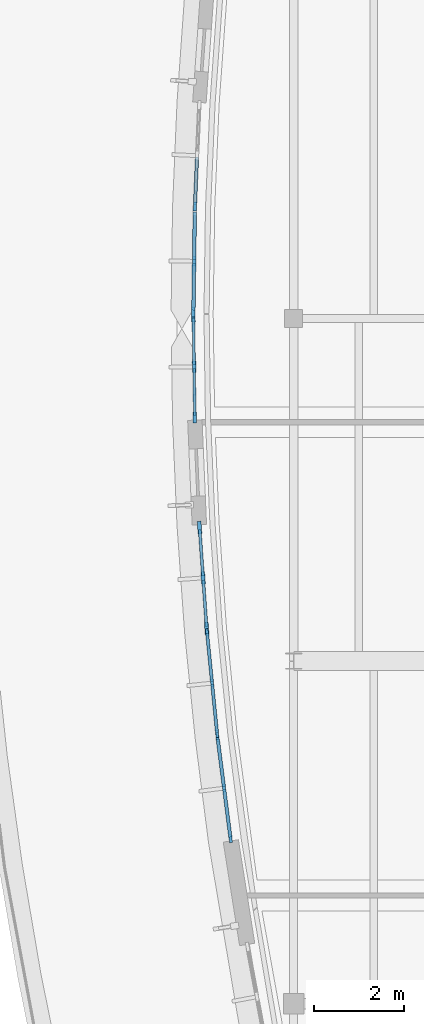
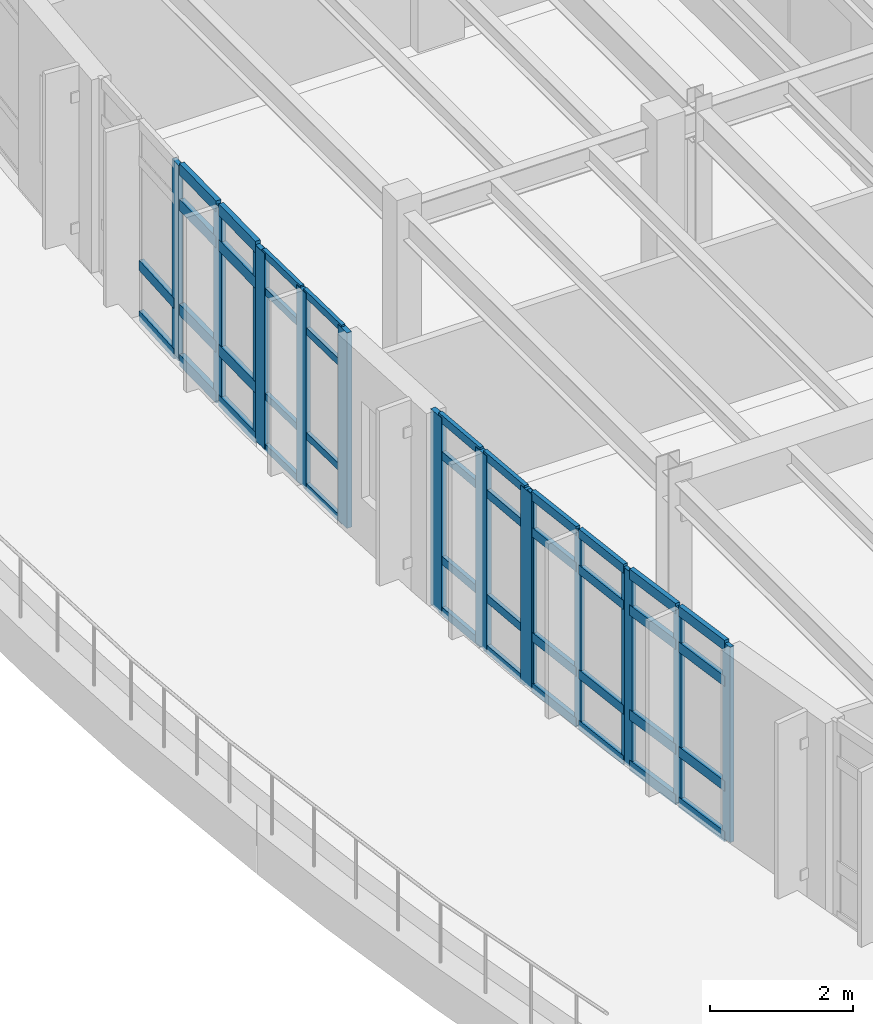
# One storey, part 6 of 30: 57 members, 6 elements without a shape of their own.
"""IFC4 building model written with IfcOpenShell, lengths in metres."""

from ifc_helpers import new_model, si_unit, direction, frame, origin, origin_2d, place, context, subcontext, project, spatial, rectangle, extrude, material, material_profile, profile_set, type_object, element, aggregate, save


model = new_model("IFC4")

# Units and contexts
model_context = context("Model", 3, precision=1e-05, world=origin(), true_north=direction((0.0, 1.0)))
body_context = subcontext(model_context, "Body", "Model", "MODEL_VIEW")
ifc_project = project(units=[si_unit("LENGTHUNIT", "METRE"), si_unit("AREAUNIT", "SQUARE_METRE"), si_unit("VOLUMEUNIT", "CUBIC_METRE"), si_unit("PLANEANGLEUNIT", "RADIAN"), si_unit("MASSUNIT", "GRAM", prefix="KILO")], contexts=[model_context])

# Site, building, storey
site_placement = place(None, origin())
site = spatial("IfcSite", under=ifc_project, at=site_placement, CompositionType="ELEMENT")
building_placement = place(site_placement, origin())
building = spatial("IfcBuilding", under=site, at=building_placement, Name="Corveleigh Park Community Centre", CompositionType="ELEMENT")
storey_placement = place(building_placement, frame((0.0, 0.0, 12.60009765625)))
storey = spatial("IfcBuildingStorey", under=building, at=storey_placement, Name="L03", CompositionType="ELEMENT", Elevation=12.60009765625)

# Curtain wall, members
ifc_material = material(Name="Anodised aluminium 6063-T6", Category="aluminium")
curtain_wall_type = type_object("IfcCurtainWallType", Name="CW-SYS-V4-L03", PredefinedType="NOTDEFINED", material=ifc_material)
curtain_wall_1_placement = place(storey_placement, origin())
curtain_wall_1 = element("IfcCurtainWall", 1, at=curtain_wall_1_placement, inside=storey, type_object=curtain_wall_type, Name="V4 L03 Curtain Wall 433", PredefinedType="NOTDEFINED")
ifc_material_profile_1 = material_profile(ifc_material, rectangle(XDim=0.06005859375, YDim=0.159912109375, at=origin_2d()), Name="ALU-M60x160", Category="aluminium")
ifc_profile_set_1 = profile_set([ifc_material_profile_1], Name="Anodised aluminium 6063-T6")
member_type_1 = type_object("IfcMemberType", Name="CWM-60x160", PredefinedType="MULLION", material=ifc_profile_set_1)
member_1_placement = place(storey_placement, frame((142.5029296875, 72.182861328125, 0.0), z_axis=(0.0, 0.0, 1.0), x_axis=(-0.995058446213, -0.09929092919, 0.0)))
member_1 = element("IfcMember", 2, at=member_1_placement, type_object=member_type_1, Name="CW09 mullion 1", PredefinedType="MULLION", context=body_context, shape_type="SweptSolid", body=[
    extrude(rectangle(XDim=0.06005859375, YDim=0.159912109375, at=origin_2d()), origin(), (0.0, 0.0, 1.0), 3.3369140625),
])
member_2_placement = place(storey_placement, frame((142.390380859375, 73.310546875, 0.0), z_axis=(0.0, 0.0, 1.0), x_axis=(-0.995058446213, -0.09929092919, 0.0)))
member_2 = element("IfcMember", 3, at=member_2_placement, type_object=member_type_1, Name="CW09 mullion 2", PredefinedType="MULLION", context=body_context, shape_type="SweptSolid", body=[
    extrude(rectangle(XDim=0.06005859375, YDim=0.159912109375, at=origin_2d()), origin(), (0.0, 0.0, 1.0), 3.3369140625),
])
member_3_placement = place(storey_placement, frame((142.278076171875, 74.438232421875, 0.0), z_axis=(0.0, 0.0, 1.0), x_axis=(-0.995058446213, -0.09929092919, 0.0)))
member_3 = element("IfcMember", 4, at=member_3_placement, type_object=member_type_1, Name="CW09 mullion 3", PredefinedType="MULLION", context=body_context, shape_type="SweptSolid", body=[
    extrude(rectangle(XDim=0.06005859375, YDim=0.159912109375, at=origin_2d()), origin(), (0.0, 0.0, 1.0), 3.3369140625),
])

curtain_wall_2_placement = place(storey_placement, origin())
curtain_wall_2 = element("IfcCurtainWall", 5, at=curtain_wall_2_placement, inside=storey, type_object=curtain_wall_type, Name="V4 L03 Curtain Wall 434", PredefinedType="NOTDEFINED")
ifc_material_profile_2 = material_profile(ifc_material, rectangle(XDim=0.06494140625, YDim=0.179931640625, at=origin_2d()), Name="ALU-M65x180", Category="aluminium")
ifc_profile_set_2 = profile_set([ifc_material_profile_2], Name="Anodised aluminium 6063-T6")
member_type_2 = type_object("IfcMemberType", Name="CWM-65x180", PredefinedType="MULLION", material=ifc_profile_set_2)
member_4_placement = place(storey_placement, frame((142.7998046875, 69.8603515625, 0.0), z_axis=(0.0, 0.0, 1.0), x_axis=(-0.991869145489, -0.127261927639, 0.0)))
member_4 = element("IfcMember", 6, at=member_4_placement, type_object=member_type_2, Name="CW09 mullion 1", PredefinedType="MULLION", context=body_context, shape_type="SweptSolid", body=[
    extrude(rectangle(XDim=0.06494140625, YDim=0.179931640625, at=origin_2d()), origin(), (0.0, 0.0, 1.0), 3.3369140625),
])
member_5_placement = place(storey_placement, frame((142.656005859375, 70.9814453125, 0.0), z_axis=(0.0, 0.0, 1.0), x_axis=(-0.991869145489, -0.127261927639, 0.0)))
member_5 = element("IfcMember", 7, at=member_5_placement, type_object=member_type_2, Name="CW09 mullion 2", PredefinedType="MULLION", context=body_context, shape_type="SweptSolid", body=[
    extrude(rectangle(XDim=0.06494140625, YDim=0.179931640625, at=origin_2d()), origin(), (0.0, 0.0, 1.0), 3.3369140625),
])
member_6_placement = place(storey_placement, frame((142.51220703125, 72.102783203125, 0.0), z_axis=(0.0, 0.0, 1.0), x_axis=(-0.991869145489, -0.127261927639, 0.0)))
member_6 = element("IfcMember", 8, at=member_6_placement, type_object=member_type_2, Name="CW09 mullion 3", PredefinedType="MULLION", context=body_context, shape_type="SweptSolid", body=[
    extrude(rectangle(XDim=0.06494140625, YDim=0.179931640625, at=origin_2d()), origin(), (0.0, 0.0, 1.0), 3.3369140625),
])

# Curtain wall, member
curtain_wall_3_placement = place(storey_placement, origin())
curtain_wall_3 = element("IfcCurtainWall", 9, at=curtain_wall_3_placement, inside=storey, type_object=curtain_wall_type, Name="V4 L03 Curtain Wall 429", PredefinedType="NOTDEFINED")
ifc_material_profile_3 = material_profile(ifc_material, rectangle(XDim=0.070068359375, YDim=0.199951171875, at=origin_2d()), Name="ALU-M70x200", Category="aluminium")
ifc_profile_set_3 = profile_set([ifc_material_profile_3], Name="Anodised aluminium 6063-T6")
member_type_3 = type_object("IfcMemberType", Name="CWM-70x200", PredefinedType="MULLION", material=ifc_profile_set_3)
member_7_placement = place(storey_placement, frame((142.009521484375, 83.887939453125, 0.0), z_axis=(0.0, 0.0, 1.0), x_axis=(-0.999074729961, 0.043007952221, 0.0)))
member_7 = element("IfcMember", 10, at=member_7_placement, type_object=member_type_3, Name="CW09 mullion 1", PredefinedType="MULLION", context=body_context, shape_type="SweptSolid", body=[
    extrude(rectangle(XDim=0.070068359375, YDim=0.199951171875, at=origin_2d()), origin(), (0.0, 0.0, 1.0), 3.3369140625),
])

# Curtain wall, members
curtain_wall_4_placement = place(storey_placement, origin())
curtain_wall_4 = element("IfcCurtainWall", 11, at=curtain_wall_4_placement, inside=storey, type_object=curtain_wall_type, Name="V4 L03 Curtain Wall 430", PredefinedType="NOTDEFINED")
ifc_material_profile_4 = material_profile(ifc_material, rectangle(XDim=0.074951171875, YDim=0.219970703125, at=origin_2d()), Name="ALU-M75x220", Category="aluminium")
ifc_profile_set_4 = profile_set([ifc_material_profile_4], Name="Anodised aluminium 6063-T6")
member_type_4 = type_object("IfcMemberType", Name="CWM-75x220", PredefinedType="MULLION", material=ifc_profile_set_4)
member_8_placement = place(storey_placement, frame((141.9755859375, 81.54638671875, 0.0), z_axis=(0.0, 0.0, 1.0), x_axis=(-0.999899373375, 0.014186018617, 0.0)))
member_8 = element("IfcMember", 12, at=member_8_placement, type_object=member_type_4, Name="CW09 mullion 1", PredefinedType="MULLION", context=body_context, shape_type="SweptSolid", body=[
    extrude(rectangle(XDim=0.074951171875, YDim=0.219970703125, at=origin_2d()), origin(), (0.0, 0.0, 1.0), 3.3369140625),
])
member_9_placement = place(storey_placement, frame((141.991455078125, 82.672119140625, 0.0), z_axis=(0.0, 0.0, 1.0), x_axis=(-0.999899373375, 0.014186018617, 0.0)))
member_9 = element("IfcMember", 13, at=member_9_placement, type_object=member_type_4, Name="CW09 mullion 2", PredefinedType="MULLION", context=body_context, shape_type="SweptSolid", body=[
    extrude(rectangle(XDim=0.074951171875, YDim=0.219970703125, at=origin_2d()), origin(), (0.0, 0.0, 1.0), 3.3369140625),
])

curtain_wall_5_placement = place(storey_placement, origin())
curtain_wall_5 = element("IfcCurtainWall", 14, at=curtain_wall_5_placement, inside=storey, type_object=curtain_wall_type, Name="V4 L03 Curtain Wall 431", PredefinedType="NOTDEFINED")
ifc_material_profile_5 = material_profile(ifc_material, rectangle(XDim=0.080078125, YDim=0.25, at=origin_2d()), Name="ALU-M80x250", Category="aluminium")
ifc_profile_set_5 = profile_set([ifc_material_profile_5], Name="Anodised aluminium 6063-T6")
member_type_5 = type_object("IfcMemberType", Name="CWM-80x250", PredefinedType="MULLION", material=ifc_profile_set_5)
member_10_placement = place(storey_placement, frame((142.00732421875, 79.205078125, 0.0), z_axis=(0.0, 0.0, 1.0), x_axis=(-0.999899373375, -0.014186018617, 0.0)))
member_10 = element("IfcMember", 15, at=member_10_placement, type_object=member_type_5, Name="CW09 mullion 1", PredefinedType="MULLION", context=body_context, shape_type="SweptSolid", body=[
    extrude(rectangle(XDim=0.080078125, YDim=0.25, at=origin_2d()), origin(), (0.0, 0.0, 1.0), 3.3369140625),
])
member_11_placement = place(storey_placement, frame((141.991455078125, 80.327880859375, 0.0), z_axis=(0.0, 0.0, 1.0), x_axis=(-0.999899373375, -0.014186018617, 0.0)))
member_11 = element("IfcMember", 16, at=member_11_placement, type_object=member_type_5, Name="CW09 mullion 2", PredefinedType="MULLION", context=body_context, shape_type="SweptSolid", body=[
    extrude(rectangle(XDim=0.080078125, YDim=0.25, at=origin_2d()), origin(), (0.0, 0.0, 1.0), 3.3369140625),
])
member_12_placement = place(storey_placement, frame((141.9755859375, 81.450927734375, 0.0), z_axis=(0.0, 0.0, 1.0), x_axis=(-0.999899373375, -0.014186018617, 0.0)))
member_12 = element("IfcMember", 17, at=member_12_placement, type_object=member_type_5, Name="CW09 mullion 3", PredefinedType="MULLION", context=body_context, shape_type="SweptSolid", body=[
    extrude(rectangle(XDim=0.080078125, YDim=0.25, at=origin_2d()), origin(), (0.0, 0.0, 1.0), 3.3369140625),
])

curtain_wall_6_placement = place(storey_placement, origin())
curtain_wall_6 = element("IfcCurtainWall", 18, at=curtain_wall_6_placement, inside=storey, type_object=curtain_wall_type, Name="V4 L03 Curtain Wall 432", PredefinedType="NOTDEFINED")
ifc_material_profile_6 = material_profile(ifc_material, rectangle(XDim=0.0849609375, YDim=0.27490234375, at=origin_2d()), Name="ALU-M85x275", Category="aluminium")
ifc_profile_set_6 = profile_set([ifc_material_profile_6], Name="Anodised aluminium 6063-T6")
member_type_6 = type_object("IfcMemberType", Name="CWM-85x275", PredefinedType="MULLION", material=ifc_profile_set_6)
member_13_placement = place(storey_placement, frame((142.27001953125, 74.5283203125, 0.0), z_axis=(0.0, 0.0, 1.0), x_axis=(-0.997510811359, -0.070513695282, 0.0)))
member_13 = element("IfcMember", 19, at=member_13_placement, type_object=member_type_6, Name="CW09 mullion 1", PredefinedType="MULLION", context=body_context, shape_type="SweptSolid", body=[
    extrude(rectangle(XDim=0.0849609375, YDim=0.27490234375, at=origin_2d()), origin(), (0.0, 0.0, 1.0), 3.3369140625),
])
member_14_placement = place(storey_placement, frame((142.19091796875, 75.64599609375, 0.0), z_axis=(0.0, 0.0, 1.0), x_axis=(-0.997510811359, -0.070513695282, 0.0)))
member_14 = element("IfcMember", 20, at=member_14_placement, type_object=member_type_6, Name="CW09 mullion 2", PredefinedType="MULLION", context=body_context, shape_type="SweptSolid", body=[
    extrude(rectangle(XDim=0.0849609375, YDim=0.27490234375, at=origin_2d()), origin(), (0.0, 0.0, 1.0), 3.3369140625),
])
member_15_placement = place(storey_placement, frame((142.112060546875, 76.763671875, 0.0), z_axis=(0.0, 0.0, 1.0), x_axis=(-0.997510811359, -0.070513695282, 0.0)))
member_15 = element("IfcMember", 21, at=member_15_placement, type_object=member_type_6, Name="CW09 mullion 3", PredefinedType="MULLION", context=body_context, shape_type="SweptSolid", body=[
    extrude(rectangle(XDim=0.0849609375, YDim=0.27490234375, at=origin_2d()), origin(), (0.0, 0.0, 1.0), 3.3369140625),
])

# Member
ifc_material_profile_7 = material_profile(ifc_material, rectangle(XDim=0.06005859375, YDim=0.1201171875, at=origin_2d()), Name="ALU-T60x120", Category="aluminium")
ifc_profile_set_7 = profile_set([ifc_material_profile_7], Name="Anodised aluminium 6063-T6")
member_type_7 = type_object("IfcMemberType", Name="CWT-60x120", PredefinedType="USERDEFINED", material=ifc_profile_set_7)
member_16_placement = place(storey_placement, frame((142.0068359375, 79.244873046875, 0.02978515625), z_axis=(-0.014040272837, 0.999901430511, 0.0), x_axis=(-0.999901430511, -0.014040272837, 0.0)))
member_16 = element("IfcMember", 22, at=member_16_placement, type_object=member_type_7, Name="CW09 transom 1.1", ObjectType="TRANSOM", PredefinedType="USERDEFINED", context=body_context, shape_type="SweptSolid", body=[
    extrude(rectangle(XDim=0.06005859375, YDim=0.1201171875, at=origin_2d()), origin(), (0.0, 0.0, 1.0), 1.043212890625),
])

member_17_placement = place(storey_placement, frame((142.0068359375, 79.244873046875, 0.89990234375), z_axis=(-0.014040272837, 0.999901430511, 0.0), x_axis=(-0.999901430511, -0.014040272837, 0.0)))
member_17 = element("IfcMember", 23, at=member_17_placement, type_object=member_type_7, Name="CW09 transom 1.2", ObjectType="TRANSOM", PredefinedType="USERDEFINED", context=body_context, shape_type="SweptSolid", body=[
    extrude(rectangle(XDim=0.06005859375, YDim=0.1201171875, at=origin_2d()), origin(), (0.0, 0.0, 1.0), 1.043212890625),
])

member_18_placement = place(storey_placement, frame((142.0068359375, 79.244873046875, 2.68701171875), z_axis=(-0.014040272837, 0.999901430511, 0.0), x_axis=(-0.999901430511, -0.014040272837, 0.0)))
member_18 = element("IfcMember", 24, at=member_18_placement, type_object=member_type_7, Name="CW09 transom 1.3", ObjectType="TRANSOM", PredefinedType="USERDEFINED", context=body_context, shape_type="SweptSolid", body=[
    extrude(rectangle(XDim=0.06005859375, YDim=0.1201171875, at=origin_2d()), origin(), (0.0, 0.0, 1.0), 1.043212890625),
])

member_19_placement = place(storey_placement, frame((142.0068359375, 79.244873046875, 3.306884765625), z_axis=(-0.014040272837, 0.999901430511, 0.0), x_axis=(-0.999901430511, -0.014040272837, 0.0)))
member_19 = element("IfcMember", 25, at=member_19_placement, type_object=member_type_7, Name="CW09 transom 1.4", ObjectType="TRANSOM", PredefinedType="USERDEFINED", context=body_context, shape_type="SweptSolid", body=[
    extrude(rectangle(XDim=0.06005859375, YDim=0.1201171875, at=origin_2d()), origin(), (0.0, 0.0, 1.0), 1.043212890625),
])

member_20_placement = place(storey_placement, frame((141.990966796875, 80.367919921875, 0.02978515625), z_axis=(-0.01427757076, 0.999898070292, 0.0), x_axis=(-0.999898070292, -0.01427757076, 0.0)))
member_20 = element("IfcMember", 26, at=member_20_placement, type_object=member_type_7, Name="CW09 transom 2.1", ObjectType="TRANSOM", PredefinedType="USERDEFINED", context=body_context, shape_type="SweptSolid", body=[
    extrude(rectangle(XDim=0.06005859375, YDim=0.1201171875, at=origin_2d()), origin(), (0.0, 0.0, 1.0), 1.04296875),
])

member_21_placement = place(storey_placement, frame((141.990966796875, 80.367919921875, 0.89990234375), z_axis=(-0.01427757076, 0.999898070292, 0.0), x_axis=(-0.999898070292, -0.01427757076, 0.0)))
member_21 = element("IfcMember", 27, at=member_21_placement, type_object=member_type_7, Name="CW09 transom 2.2", ObjectType="TRANSOM", PredefinedType="USERDEFINED", context=body_context, shape_type="SweptSolid", body=[
    extrude(rectangle(XDim=0.06005859375, YDim=0.1201171875, at=origin_2d()), origin(), (0.0, 0.0, 1.0), 1.04296875),
])

member_22_placement = place(storey_placement, frame((141.990966796875, 80.367919921875, 2.68701171875), z_axis=(-0.01427757076, 0.999898070292, 0.0), x_axis=(-0.999898070292, -0.01427757076, 0.0)))
member_22 = element("IfcMember", 28, at=member_22_placement, type_object=member_type_7, Name="CW09 transom 2.3", ObjectType="TRANSOM", PredefinedType="USERDEFINED", context=body_context, shape_type="SweptSolid", body=[
    extrude(rectangle(XDim=0.06005859375, YDim=0.1201171875, at=origin_2d()), origin(), (0.0, 0.0, 1.0), 1.04296875),
])

member_23_placement = place(storey_placement, frame((141.990966796875, 80.367919921875, 3.306884765625), z_axis=(-0.01427757076, 0.999898070292, 0.0), x_axis=(-0.999898070292, -0.01427757076, 0.0)))
member_23 = element("IfcMember", 29, at=member_23_placement, type_object=member_type_7, Name="CW09 transom 2.4", ObjectType="TRANSOM", PredefinedType="USERDEFINED", context=body_context, shape_type="SweptSolid", body=[
    extrude(rectangle(XDim=0.06005859375, YDim=0.1201171875, at=origin_2d()), origin(), (0.0, 0.0, 1.0), 1.04296875),
])

aggregate(curtain_wall_5, [member_10, member_11, member_12, member_16, member_17, member_18, member_19, member_20, member_21, member_22, member_23])

ifc_material_profile_8 = material_profile(ifc_material, rectangle(XDim=0.06494140625, YDim=0.139892578125, at=origin_2d()), Name="ALU-T65x140", Category="aluminium")
ifc_profile_set_8 = profile_set([ifc_material_profile_8], Name="Anodised aluminium 6063-T6")
member_type_8 = type_object("IfcMemberType", Name="CWT-65x140", PredefinedType="USERDEFINED", material=ifc_profile_set_8)
member_24_placement = place(storey_placement, frame((142.26708984375, 74.57080078125, 0.032470703125), z_axis=(-0.07050964967, 0.997511097333, 0.0), x_axis=(-0.997511097333, -0.07050964967, 0.0)))
member_24 = element("IfcMember", 30, at=member_24_placement, type_object=member_type_8, Name="CW09 transom 1.1", ObjectType="TRANSOM", PredefinedType="USERDEFINED", context=body_context, shape_type="SweptSolid", body=[
    extrude(rectangle(XDim=0.06494140625, YDim=0.139892578125, at=origin_2d()), origin(), (0.0, 0.0, 1.0), 1.035400390625),
])

member_25_placement = place(storey_placement, frame((142.26708984375, 74.57080078125, 0.89990234375), z_axis=(-0.07050964967, 0.997511097333, 0.0), x_axis=(-0.997511097333, -0.07050964967, 0.0)))
member_25 = element("IfcMember", 31, at=member_25_placement, type_object=member_type_8, Name="CW09 transom 1.2", ObjectType="TRANSOM", PredefinedType="USERDEFINED", context=body_context, shape_type="SweptSolid", body=[
    extrude(rectangle(XDim=0.06494140625, YDim=0.139892578125, at=origin_2d()), origin(), (0.0, 0.0, 1.0), 1.035400390625),
])

member_26_placement = place(storey_placement, frame((142.26708984375, 74.57080078125, 2.68701171875), z_axis=(-0.07050964967, 0.997511097333, 0.0), x_axis=(-0.997511097333, -0.07050964967, 0.0)))
member_26 = element("IfcMember", 32, at=member_26_placement, type_object=member_type_8, Name="CW09 transom 1.3", ObjectType="TRANSOM", PredefinedType="USERDEFINED", context=body_context, shape_type="SweptSolid", body=[
    extrude(rectangle(XDim=0.06494140625, YDim=0.139892578125, at=origin_2d()), origin(), (0.0, 0.0, 1.0), 1.035400390625),
])

member_27_placement = place(storey_placement, frame((142.26708984375, 74.57080078125, 3.304443359375), z_axis=(-0.07050964967, 0.997511097333, 0.0), x_axis=(-0.997511097333, -0.07050964967, 0.0)))
member_27 = element("IfcMember", 33, at=member_27_placement, type_object=member_type_8, Name="CW09 transom 1.4", ObjectType="TRANSOM", PredefinedType="USERDEFINED", context=body_context, shape_type="SweptSolid", body=[
    extrude(rectangle(XDim=0.06494140625, YDim=0.139892578125, at=origin_2d()), origin(), (0.0, 0.0, 1.0), 1.035400390625),
])

member_28_placement = place(storey_placement, frame((142.18798828125, 75.6884765625, 0.032470703125), z_axis=(-0.07050964967, 0.997511097333, 0.0), x_axis=(-0.997511097333, -0.07050964967, 0.0)))
member_28 = element("IfcMember", 34, at=member_28_placement, type_object=member_type_8, Name="CW09 transom 2.1", ObjectType="TRANSOM", PredefinedType="USERDEFINED", context=body_context, shape_type="SweptSolid", body=[
    extrude(rectangle(XDim=0.06494140625, YDim=0.139892578125, at=origin_2d()), origin(), (0.0, 0.0, 1.0), 1.035400390625),
])

member_29_placement = place(storey_placement, frame((142.18798828125, 75.6884765625, 0.89990234375), z_axis=(-0.07050964967, 0.997511097333, 0.0), x_axis=(-0.997511097333, -0.07050964967, 0.0)))
member_29 = element("IfcMember", 35, at=member_29_placement, type_object=member_type_8, Name="CW09 transom 2.2", ObjectType="TRANSOM", PredefinedType="USERDEFINED", context=body_context, shape_type="SweptSolid", body=[
    extrude(rectangle(XDim=0.06494140625, YDim=0.139892578125, at=origin_2d()), origin(), (0.0, 0.0, 1.0), 1.035400390625),
])

member_30_placement = place(storey_placement, frame((142.18798828125, 75.6884765625, 2.68701171875), z_axis=(-0.07050964967, 0.997511097333, 0.0), x_axis=(-0.997511097333, -0.07050964967, 0.0)))
member_30 = element("IfcMember", 36, at=member_30_placement, type_object=member_type_8, Name="CW09 transom 2.3", ObjectType="TRANSOM", PredefinedType="USERDEFINED", context=body_context, shape_type="SweptSolid", body=[
    extrude(rectangle(XDim=0.06494140625, YDim=0.139892578125, at=origin_2d()), origin(), (0.0, 0.0, 1.0), 1.035400390625),
])

member_31_placement = place(storey_placement, frame((142.18798828125, 75.6884765625, 3.304443359375), z_axis=(-0.07050964967, 0.997511097333, 0.0), x_axis=(-0.997511097333, -0.07050964967, 0.0)))
member_31 = element("IfcMember", 37, at=member_31_placement, type_object=member_type_8, Name="CW09 transom 2.4", ObjectType="TRANSOM", PredefinedType="USERDEFINED", context=body_context, shape_type="SweptSolid", body=[
    extrude(rectangle(XDim=0.06494140625, YDim=0.139892578125, at=origin_2d()), origin(), (0.0, 0.0, 1.0), 1.035400390625),
])

aggregate(curtain_wall_6, [member_13, member_14, member_15, member_24, member_25, member_26, member_27, member_28, member_29, member_30, member_31])

ifc_material_profile_9 = material_profile(ifc_material, rectangle(XDim=0.070068359375, YDim=0.155029296875, at=origin_2d()), Name="ALU-T70x155", Category="aluminium")
ifc_profile_set_9 = profile_set([ifc_material_profile_9], Name="Anodised aluminium 6063-T6")
member_type_9 = type_object("IfcMemberType", Name="CWT-70x155", PredefinedType="USERDEFINED", material=ifc_profile_set_9)
member_32_placement = place(storey_placement, frame((142.5, 72.212646484375, 0.034912109375), z_axis=(-0.09916592401, 0.995070911802, 0.0), x_axis=(-0.995070911802, -0.09916592401, 0.0)))
member_32 = element("IfcMember", 38, at=member_32_placement, type_object=member_type_9, Name="CW09 transom 1.1", ObjectType="TRANSOM", PredefinedType="USERDEFINED", context=body_context, shape_type="SweptSolid", body=[
    extrude(rectangle(XDim=0.070068359375, YDim=0.155029296875, at=origin_2d()), origin(), (0.0, 0.0, 1.0), 1.073486328125),
])

member_33_placement = place(storey_placement, frame((142.5, 72.212646484375, 0.89990234375), z_axis=(-0.09916592401, 0.995070911802, 0.0), x_axis=(-0.995070911802, -0.09916592401, 0.0)))
member_33 = element("IfcMember", 39, at=member_33_placement, type_object=member_type_9, Name="CW09 transom 1.2", ObjectType="TRANSOM", PredefinedType="USERDEFINED", context=body_context, shape_type="SweptSolid", body=[
    extrude(rectangle(XDim=0.070068359375, YDim=0.155029296875, at=origin_2d()), origin(), (0.0, 0.0, 1.0), 1.073486328125),
])

member_34_placement = place(storey_placement, frame((142.5, 72.212646484375, 2.68701171875), z_axis=(-0.09916592401, 0.995070911802, 0.0), x_axis=(-0.995070911802, -0.09916592401, 0.0)))
member_34 = element("IfcMember", 40, at=member_34_placement, type_object=member_type_9, Name="CW09 transom 1.3", ObjectType="TRANSOM", PredefinedType="USERDEFINED", context=body_context, shape_type="SweptSolid", body=[
    extrude(rectangle(XDim=0.070068359375, YDim=0.155029296875, at=origin_2d()), origin(), (0.0, 0.0, 1.0), 1.073486328125),
])

member_35_placement = place(storey_placement, frame((142.5, 72.212646484375, 3.302001953125), z_axis=(-0.09916592401, 0.995070911802, 0.0), x_axis=(-0.995070911802, -0.09916592401, 0.0)))
member_35 = element("IfcMember", 41, at=member_35_placement, type_object=member_type_9, Name="CW09 transom 1.4", ObjectType="TRANSOM", PredefinedType="USERDEFINED", context=body_context, shape_type="SweptSolid", body=[
    extrude(rectangle(XDim=0.070068359375, YDim=0.155029296875, at=origin_2d()), origin(), (0.0, 0.0, 1.0), 1.073486328125),
])

member_36_placement = place(storey_placement, frame((142.387451171875, 73.34033203125, 0.034912109375), z_axis=(-0.099188372663, 0.995068674378, 0.0), x_axis=(-0.995068674378, -0.099188372663, 0.0)))
member_36 = element("IfcMember", 42, at=member_36_placement, type_object=member_type_9, Name="CW09 transom 2.1", ObjectType="TRANSOM", PredefinedType="USERDEFINED", context=body_context, shape_type="SweptSolid", body=[
    extrude(rectangle(XDim=0.070068359375, YDim=0.155029296875, at=origin_2d()), origin(), (0.0, 0.0, 1.0), 1.0732421875),
])

member_37_placement = place(storey_placement, frame((142.387451171875, 73.34033203125, 0.89990234375), z_axis=(-0.099188372663, 0.995068674378, 0.0), x_axis=(-0.995068674378, -0.099188372663, 0.0)))
member_37 = element("IfcMember", 43, at=member_37_placement, type_object=member_type_9, Name="CW09 transom 2.2", ObjectType="TRANSOM", PredefinedType="USERDEFINED", context=body_context, shape_type="SweptSolid", body=[
    extrude(rectangle(XDim=0.070068359375, YDim=0.155029296875, at=origin_2d()), origin(), (0.0, 0.0, 1.0), 1.0732421875),
])

member_38_placement = place(storey_placement, frame((142.387451171875, 73.34033203125, 2.68701171875), z_axis=(-0.099188372663, 0.995068674378, 0.0), x_axis=(-0.995068674378, -0.099188372663, 0.0)))
member_38 = element("IfcMember", 44, at=member_38_placement, type_object=member_type_9, Name="CW09 transom 2.3", ObjectType="TRANSOM", PredefinedType="USERDEFINED", context=body_context, shape_type="SweptSolid", body=[
    extrude(rectangle(XDim=0.070068359375, YDim=0.155029296875, at=origin_2d()), origin(), (0.0, 0.0, 1.0), 1.0732421875),
])

member_39_placement = place(storey_placement, frame((142.387451171875, 73.34033203125, 3.302001953125), z_axis=(-0.099188372663, 0.995068674378, 0.0), x_axis=(-0.995068674378, -0.099188372663, 0.0)))
member_39 = element("IfcMember", 45, at=member_39_placement, type_object=member_type_9, Name="CW09 transom 2.4", ObjectType="TRANSOM", PredefinedType="USERDEFINED", context=body_context, shape_type="SweptSolid", body=[
    extrude(rectangle(XDim=0.070068359375, YDim=0.155029296875, at=origin_2d()), origin(), (0.0, 0.0, 1.0), 1.0732421875),
])

aggregate(curtain_wall_1, [member_1, member_2, member_3, member_32, member_33, member_34, member_35, member_36, member_37, member_38, member_39])

ifc_material_profile_10 = material_profile(ifc_material, rectangle(XDim=0.074951171875, YDim=0.175048828125, at=origin_2d()), Name="ALU-T75x175", Category="aluminium")
ifc_profile_set_10 = profile_set([ifc_material_profile_10], Name="Anodised aluminium 6063-T6")
member_type_10 = type_object("IfcMemberType", Name="CWT-75x175", PredefinedType="USERDEFINED", material=ifc_profile_set_10)
member_40_placement = place(storey_placement, frame((142.010986328125, 83.9228515625, 0.037353515625), z_axis=(0.042936338424, 0.999077810204, 0.0), x_axis=(-0.999077810204, 0.042936338424, 0.0)))
member_40 = element("IfcMember", 46, at=member_40_placement, type_object=member_type_10, Name="CW09 transom 1.1", ObjectType="TRANSOM", PredefinedType="USERDEFINED", context=body_context, shape_type="SweptSolid", body=[
    extrude(rectangle(XDim=0.074951171875, YDim=0.175048828125, at=origin_2d()), origin(), (0.0, 0.0, 1.0), 1.0576171875),
])

member_41_placement = place(storey_placement, frame((142.010986328125, 83.9228515625, 0.89990234375), z_axis=(0.042936338424, 0.999077810204, 0.0), x_axis=(-0.999077810204, 0.042936338424, 0.0)))
member_41 = element("IfcMember", 47, at=member_41_placement, type_object=member_type_10, Name="CW09 transom 1.2", ObjectType="TRANSOM", PredefinedType="USERDEFINED", context=body_context, shape_type="SweptSolid", body=[
    extrude(rectangle(XDim=0.074951171875, YDim=0.175048828125, at=origin_2d()), origin(), (0.0, 0.0, 1.0), 1.0576171875),
])

aggregate(curtain_wall_3, [member_7, member_40, member_41])

member_42_placement = place(storey_placement, frame((142.795654296875, 69.892578125, 0.037353515625), z_axis=(-0.127193222471, 0.991877958298, 0.0), x_axis=(-0.991877958298, -0.127193222471, 0.0)))
member_42 = element("IfcMember", 48, at=member_42_placement, type_object=member_type_10, Name="CW09 transom 1.1", ObjectType="TRANSOM", PredefinedType="USERDEFINED", context=body_context, shape_type="SweptSolid", body=[
    extrude(rectangle(XDim=0.074951171875, YDim=0.175048828125, at=origin_2d()), origin(), (0.0, 0.0, 1.0), 1.065185546875),
])

member_43_placement = place(storey_placement, frame((142.795654296875, 69.892578125, 0.89990234375), z_axis=(-0.127193222471, 0.991877958298, 0.0), x_axis=(-0.991877958298, -0.127193222471, 0.0)))
member_43 = element("IfcMember", 49, at=member_43_placement, type_object=member_type_10, Name="CW09 transom 1.2", ObjectType="TRANSOM", PredefinedType="USERDEFINED", context=body_context, shape_type="SweptSolid", body=[
    extrude(rectangle(XDim=0.074951171875, YDim=0.175048828125, at=origin_2d()), origin(), (0.0, 0.0, 1.0), 1.065185546875),
])

member_44_placement = place(storey_placement, frame((142.795654296875, 69.892578125, 2.68701171875), z_axis=(-0.127193222471, 0.991877958298, 0.0), x_axis=(-0.991877958298, -0.127193222471, 0.0)))
member_44 = element("IfcMember", 50, at=member_44_placement, type_object=member_type_10, Name="CW09 transom 1.3", ObjectType="TRANSOM", PredefinedType="USERDEFINED", context=body_context, shape_type="SweptSolid", body=[
    extrude(rectangle(XDim=0.074951171875, YDim=0.175048828125, at=origin_2d()), origin(), (0.0, 0.0, 1.0), 1.065185546875),
])

member_45_placement = place(storey_placement, frame((142.795654296875, 69.892578125, 3.29931640625), z_axis=(-0.127193222471, 0.991877958298, 0.0), x_axis=(-0.991877958298, -0.127193222471, 0.0)))
member_45 = element("IfcMember", 51, at=member_45_placement, type_object=member_type_10, Name="CW09 transom 1.4", ObjectType="TRANSOM", PredefinedType="USERDEFINED", context=body_context, shape_type="SweptSolid", body=[
    extrude(rectangle(XDim=0.074951171875, YDim=0.175048828125, at=origin_2d()), origin(), (0.0, 0.0, 1.0), 1.065185546875),
])

member_46_placement = place(storey_placement, frame((142.65185546875, 71.013671875, 0.037353515625), z_axis=(-0.127164315985, 0.991881664686, 0.0), x_axis=(-0.991881664686, -0.127164315985, 0.0)))
member_46 = element("IfcMember", 52, at=member_46_placement, type_object=member_type_10, Name="CW09 transom 2.1", ObjectType="TRANSOM", PredefinedType="USERDEFINED", context=body_context, shape_type="SweptSolid", body=[
    extrude(rectangle(XDim=0.074951171875, YDim=0.175048828125, at=origin_2d()), origin(), (0.0, 0.0, 1.0), 1.0654296875),
])

member_47_placement = place(storey_placement, frame((142.65185546875, 71.013671875, 0.89990234375), z_axis=(-0.127164315985, 0.991881664686, 0.0), x_axis=(-0.991881664686, -0.127164315985, 0.0)))
member_47 = element("IfcMember", 53, at=member_47_placement, type_object=member_type_10, Name="CW09 transom 2.2", ObjectType="TRANSOM", PredefinedType="USERDEFINED", context=body_context, shape_type="SweptSolid", body=[
    extrude(rectangle(XDim=0.074951171875, YDim=0.175048828125, at=origin_2d()), origin(), (0.0, 0.0, 1.0), 1.0654296875),
])

member_48_placement = place(storey_placement, frame((142.65185546875, 71.013671875, 2.68701171875), z_axis=(-0.127164315985, 0.991881664686, 0.0), x_axis=(-0.991881664686, -0.127164315985, 0.0)))
member_48 = element("IfcMember", 54, at=member_48_placement, type_object=member_type_10, Name="CW09 transom 2.3", ObjectType="TRANSOM", PredefinedType="USERDEFINED", context=body_context, shape_type="SweptSolid", body=[
    extrude(rectangle(XDim=0.074951171875, YDim=0.175048828125, at=origin_2d()), origin(), (0.0, 0.0, 1.0), 1.0654296875),
])

member_49_placement = place(storey_placement, frame((142.65185546875, 71.013671875, 3.29931640625), z_axis=(-0.127164315985, 0.991881664686, 0.0), x_axis=(-0.991881664686, -0.127164315985, 0.0)))
member_49 = element("IfcMember", 55, at=member_49_placement, type_object=member_type_10, Name="CW09 transom 2.4", ObjectType="TRANSOM", PredefinedType="USERDEFINED", context=body_context, shape_type="SweptSolid", body=[
    extrude(rectangle(XDim=0.074951171875, YDim=0.175048828125, at=origin_2d()), origin(), (0.0, 0.0, 1.0), 1.0654296875),
])

aggregate(curtain_wall_2, [member_4, member_5, member_6, member_42, member_43, member_44, member_45, member_46, member_47, member_48, member_49])

ifc_material_profile_11 = material_profile(ifc_material, rectangle(XDim=0.080078125, YDim=0.195068359375, at=origin_2d()), Name="ALU-T80x195", Category="aluminium")
ifc_profile_set_11 = profile_set([ifc_material_profile_11], Name="Anodised aluminium 6063-T6")
member_type_11 = type_object("IfcMemberType", Name="CWT-80x195", PredefinedType="USERDEFINED", material=ifc_profile_set_11)
member_50_placement = place(storey_placement, frame((141.97607421875, 81.583984375, 0.039794921875), z_axis=(0.01417473194, 0.99989953344, 0.0), x_axis=(-0.99989953344, 0.01417473194, 0.0)))
member_50 = element("IfcMember", 56, at=member_50_placement, type_object=member_type_11, Name="CW09 transom 1.1", ObjectType="TRANSOM", PredefinedType="USERDEFINED", context=body_context, shape_type="SweptSolid", body=[
    extrude(rectangle(XDim=0.080078125, YDim=0.195068359375, at=origin_2d()), origin(), (0.0, 0.0, 1.0), 1.050537109375),
])

member_51_placement = place(storey_placement, frame((141.97607421875, 81.583984375, 0.89990234375), z_axis=(0.01417473194, 0.99989953344, 0.0), x_axis=(-0.99989953344, 0.01417473194, 0.0)))
member_51 = element("IfcMember", 57, at=member_51_placement, type_object=member_type_11, Name="CW09 transom 1.2", ObjectType="TRANSOM", PredefinedType="USERDEFINED", context=body_context, shape_type="SweptSolid", body=[
    extrude(rectangle(XDim=0.080078125, YDim=0.195068359375, at=origin_2d()), origin(), (0.0, 0.0, 1.0), 1.050537109375),
])

member_52_placement = place(storey_placement, frame((141.97607421875, 81.583984375, 2.68701171875), z_axis=(0.01417473194, 0.99989953344, 0.0), x_axis=(-0.99989953344, 0.01417473194, 0.0)))
member_52 = element("IfcMember", 58, at=member_52_placement, type_object=member_type_11, Name="CW09 transom 1.3", ObjectType="TRANSOM", PredefinedType="USERDEFINED", context=body_context, shape_type="SweptSolid", body=[
    extrude(rectangle(XDim=0.080078125, YDim=0.195068359375, at=origin_2d()), origin(), (0.0, 0.0, 1.0), 1.050537109375),
])

member_53_placement = place(storey_placement, frame((141.97607421875, 81.583984375, 3.296875), z_axis=(0.01417473194, 0.99989953344, 0.0), x_axis=(-0.99989953344, 0.01417473194, 0.0)))
member_53 = element("IfcMember", 59, at=member_53_placement, type_object=member_type_11, Name="CW09 transom 1.4", ObjectType="TRANSOM", PredefinedType="USERDEFINED", context=body_context, shape_type="SweptSolid", body=[
    extrude(rectangle(XDim=0.080078125, YDim=0.195068359375, at=origin_2d()), origin(), (0.0, 0.0, 1.0), 1.050537109375),
])

member_54_placement = place(storey_placement, frame((141.991943359375, 82.70947265625, 0.039794921875), z_axis=(0.01417473194, 0.99989953344, 0.0), x_axis=(-0.99989953344, 0.01417473194, 0.0)))
member_54 = element("IfcMember", 60, at=member_54_placement, type_object=member_type_11, Name="CW09 transom 2.1", ObjectType="TRANSOM", PredefinedType="USERDEFINED", context=body_context, shape_type="SweptSolid", body=[
    extrude(rectangle(XDim=0.080078125, YDim=0.195068359375, at=origin_2d()), origin(), (0.0, 0.0, 1.0), 1.050537109375),
])

member_55_placement = place(storey_placement, frame((141.991943359375, 82.70947265625, 0.89990234375), z_axis=(0.01417473194, 0.99989953344, 0.0), x_axis=(-0.99989953344, 0.01417473194, 0.0)))
member_55 = element("IfcMember", 61, at=member_55_placement, type_object=member_type_11, Name="CW09 transom 2.2", ObjectType="TRANSOM", PredefinedType="USERDEFINED", context=body_context, shape_type="SweptSolid", body=[
    extrude(rectangle(XDim=0.080078125, YDim=0.195068359375, at=origin_2d()), origin(), (0.0, 0.0, 1.0), 1.050537109375),
])

member_56_placement = place(storey_placement, frame((141.991943359375, 82.70947265625, 2.68701171875), z_axis=(0.01417473194, 0.99989953344, 0.0), x_axis=(-0.99989953344, 0.01417473194, 0.0)))
member_56 = element("IfcMember", 62, at=member_56_placement, type_object=member_type_11, Name="CW09 transom 2.3", ObjectType="TRANSOM", PredefinedType="USERDEFINED", context=body_context, shape_type="SweptSolid", body=[
    extrude(rectangle(XDim=0.080078125, YDim=0.195068359375, at=origin_2d()), origin(), (0.0, 0.0, 1.0), 1.050537109375),
])

member_57_placement = place(storey_placement, frame((141.991943359375, 82.70947265625, 3.296875), z_axis=(0.01417473194, 0.99989953344, 0.0), x_axis=(-0.99989953344, 0.01417473194, 0.0)))
member_57 = element("IfcMember", 63, at=member_57_placement, type_object=member_type_11, Name="CW09 transom 2.4", ObjectType="TRANSOM", PredefinedType="USERDEFINED", context=body_context, shape_type="SweptSolid", body=[
    extrude(rectangle(XDim=0.080078125, YDim=0.195068359375, at=origin_2d()), origin(), (0.0, 0.0, 1.0), 1.050537109375),
])

aggregate(curtain_wall_4, [member_8, member_9, member_50, member_51, member_52, member_53, member_54, member_55, member_56, member_57])

save(model, "model.ifc")
